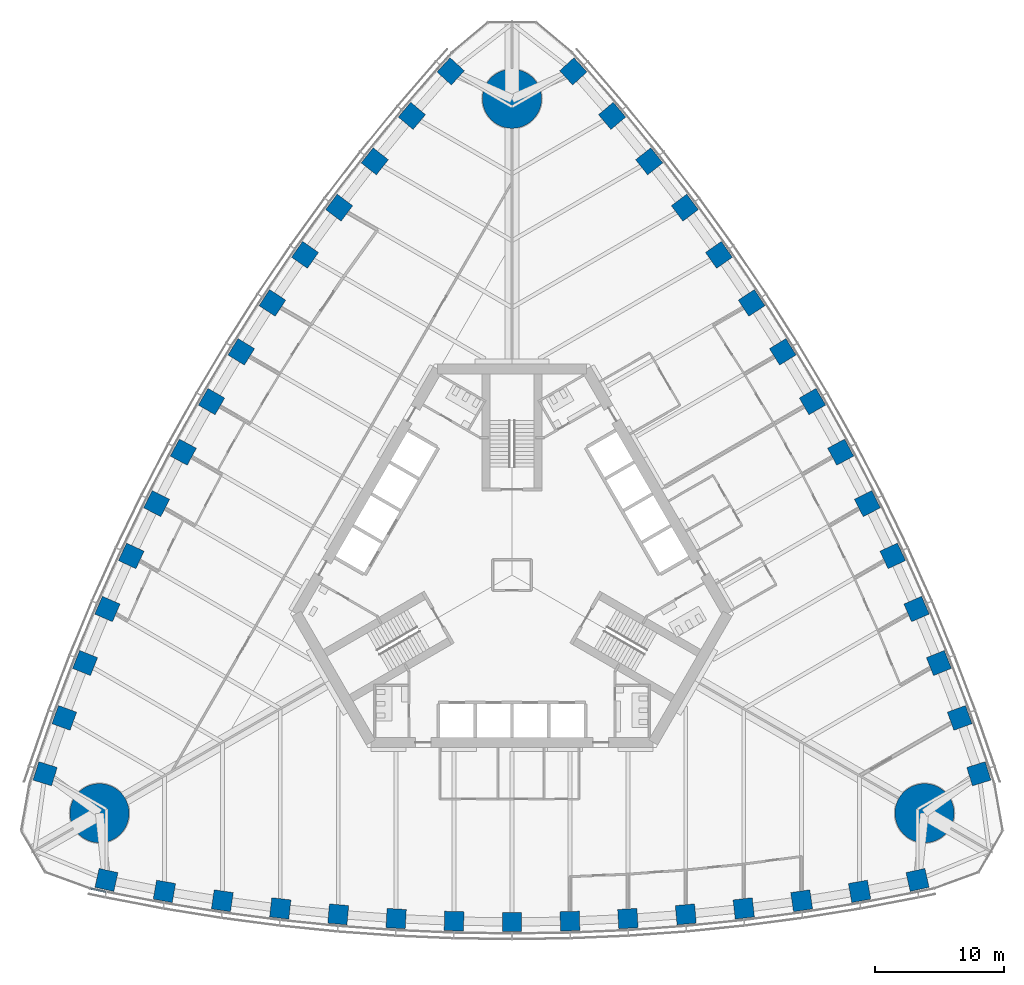
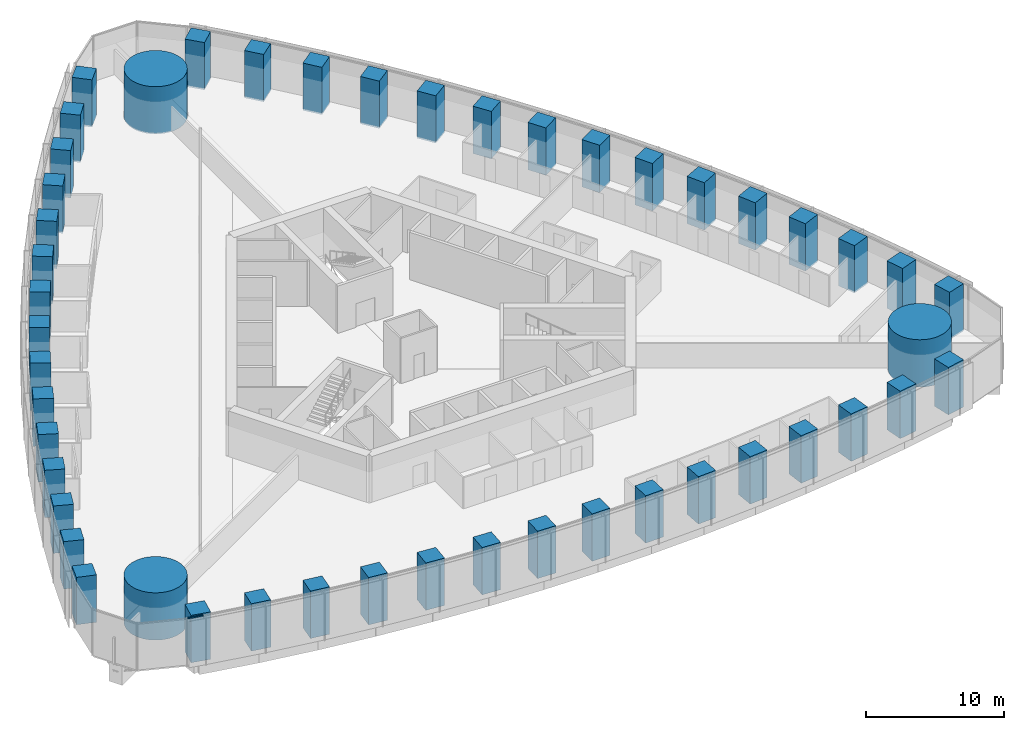
# One storey, part 1 of 18: 48 columns, 1 member, 1 element without a shape of its own.
"""IFC4 building model written with IfcOpenShell, lengths in metres."""

from ifc_helpers import new_model, si_unit, direction, frame, origin, origin_2d, place, context, subcontext, project, spatial, rectangle, circle, extrude, material, material_profile, profile_set, type_object, element, aggregate, save


model = new_model("IFC4")

# Units and contexts
model_context = context("Model", 3, precision=1e-05, world=origin(), true_north=direction((0.0, 1.0)))
body_context = subcontext(model_context, "Body", "Model", "MODEL_VIEW")
ifc_project = project(units=[si_unit("LENGTHUNIT", "METRE"), si_unit("AREAUNIT", "SQUARE_METRE"), si_unit("VOLUMEUNIT", "CUBIC_METRE"), si_unit("PLANEANGLEUNIT", "RADIAN"), si_unit("MASSUNIT", "GRAM", prefix="KILO")], contexts=[model_context])

# Site, building, storey
site_placement = place(None, origin())
site = spatial("IfcSite", under=ifc_project, at=site_placement, CompositionType="ELEMENT")
building_placement = place(site_placement, origin())
building = spatial("IfcBuilding", under=site, at=building_placement, Name="Trefoil Bronze Tower", CompositionType="ELEMENT")
storey_placement = place(building_placement, frame((0.0, 0.0, 50.10009765625)))
storey = spatial("IfcBuildingStorey", under=building, at=storey_placement, Name="L11", CompositionType="ELEMENT", Elevation=50.10009765625)

# Columns
ifc_material_1 = material(Name="Concrete B80", Category="concrete")
ifc_material_profile_1 = material_profile(ifc_material_1, circle(Radius=2.300048828125, at=origin_2d()), Name="RC D4600")
ifc_profile_set_1 = profile_set([ifc_material_profile_1], Name="Concrete B80")
column_type_1 = type_object("IfcColumnType", Name="Mega column RC D4600", PredefinedType="COLUMN", material=ifc_profile_set_1)
for number, where, z_axis, x_axis, name in (
    (1, (32.04296875, -18.5, 0.0), (0.0, 0.0, 1.0), (1.0, 0.0, 0.0), "Mega column K1 L11"),
    (2, (0.0, 37.0, 0.0), (0.0, 0.0, 1.0), (1.0, 0.0, 0.0), "Mega column K2 L11"),
    (3, (-32.04296875, -18.5, 0.0), (0.0, 0.0, 1.0), (1.0, 0.0, 0.0), "Mega column K3 L11"),
):
    element("IfcColumn", number, at=place(storey_placement, frame(where, z_axis=z_axis, x_axis=x_axis)), inside=storey, type_object=column_type_1, Name=name, PredefinedType="COLUMN", context=body_context, shape_type="SweptSolid", body=[
        extrude(circle(Radius=2.300048828125, at=origin_2d()), origin(), (0.0, 0.0, 1.0), 4.199951171875),
    ])
ifc_material_2 = material(Name="Concrete B80", Category="concrete")
ifc_material_profile_2 = material_profile(ifc_material_2, rectangle(XDim=1.5, YDim=1.5, at=origin_2d()), Name="RC 1500x1500")
ifc_profile_set_2 = profile_set([ifc_material_profile_2], Name="Concrete B80")
column_type_2 = type_object("IfcColumnType", Name="Tube column RC 1500x1500", PredefinedType="COLUMN", material=ifc_profile_set_2)
for number, where, z_axis, x_axis, name in (
    (4, (-31.5, -23.684814453125, 0.0), (0.0, 0.0, 1.0), (0.976229647342, -0.216738726697, 0.0), "Tube column F1/-7 L11"),
    (5, (-27.0, -24.56787109375, 0.0), (0.0, 0.0, 1.0), (0.984722470468, -0.174131146426, 0.0), "Tube column F1/-6 L11"),
    (6, (-22.5, -25.29931640625, 0.0), (0.0, 0.0, 1.0), (0.989415676546, -0.145108990094, 0.0), "Tube column F1/-5 L11"),
    (7, (-18.0, -25.895263671875, 0.0), (0.0, 0.0, 1.0), (0.993239048989, -0.116086999973, 0.0), "Tube column F1/-4 L11"),
    (8, (-13.5, -26.35693359375, 0.0), (0.0, 0.0, 1.0), (0.996202620701, -0.087065139456, 0.0), "Tube column F1/-3 L11"),
    (9, (-9.0, -26.68603515625, 0.0), (0.0, 0.0, 1.0), (0.998314062162, -0.058043374207, 0.0), "Tube column F1/-2 L11"),
    (10, (-4.5, -26.883056640625, 0.0), (0.0, 0.0, 1.0), (0.999578782577, -0.029021671584, 0.0), "Tube column F1/-1 L11"),
    (11, (0.0, -26.94873046875, 0.0), (0.0, 0.0, 1.0), (1.0, 0.0, 0.0), "Tube column F1/+0 L11"),
    (12, (4.5, -26.883056640625, 0.0), (0.0, 0.0, 1.0), (0.999578782577, 0.029021671584, 0.0), "Tube column F1/+1 L11"),
    (13, (9.0, -26.68603515625, 0.0), (0.0, 0.0, 1.0), (0.998314062162, 0.058043374207, 0.0), "Tube column F1/+2 L11"),
    (14, (13.5, -26.35693359375, 0.0), (0.0, 0.0, 1.0), (0.996202620701, 0.087065139456, 0.0), "Tube column F1/+3 L11"),
    (15, (18.0, -25.895263671875, 0.0), (0.0, 0.0, 1.0), (0.993239048989, 0.116086999973, 0.0), "Tube column F1/+4 L11"),
    (16, (22.5, -25.29931640625, 0.0), (0.0, 0.0, 1.0), (0.989415676546, 0.145108990094, 0.0), "Tube column F1/+5 L11"),
    (17, (27.0, -24.56787109375, 0.0), (0.0, 0.0, 1.0), (0.984722470468, 0.174131146426, 0.0), "Tube column F1/+6 L11"),
    (18, (31.5, -23.684814453125, 0.0), (0.0, 0.0, 1.0), (0.976229647342, 0.216738726697, 0.0), "Tube column F1/+7 L11"),
    (19, (36.26171875, -15.4375, 0.0), (0.0, 0.0, 1.0), (-0.300413580368, 0.953809037874, 0.0), "Tube column F2/-7 L11"),
    (20, (34.7763671875, -11.0986328125, 0.0), (0.0, 0.0, 1.0), (-0.341559238839, 0.939860248316, 0.0), "Tube column F2/-6 L11"),
    (21, (33.159912109375, -6.8359375, 0.0), (0.0, 0.0, 1.0), (-0.369039766534, 0.929413605838, 0.0), "Tube column F2/-5 L11"),
    (22, (31.42578125, -2.640869140625, 0.0), (0.0, 0.0, 1.0), (-0.396085233469, 0.918213748442, 0.0), "Tube column F2/-4 L11"),
    (23, (29.575927734375, 1.487060546875, 0.0), (0.0, 0.0, 1.0), (-0.422700687798, 0.906269346572, 0.0), "Tube column F2/-3 L11"),
    (24, (27.61083984375, 5.548828125, 0.0), (0.0, 0.0, 1.0), (-0.448889994497, 0.893587025891, 0.0), "Tube column F2/-2 L11"),
    (25, (25.531494140625, 9.54443359375, 0.0), (0.0, 0.0, 1.0), (-0.474655886437, 0.880171454588, 0.0), "Tube column F2/-1 L11"),
    (26, (23.33837890625, 13.474365234375, 0.0), (0.0, 0.0, 1.0), (-0.5, 0.866025403784, 0.0), "Tube column F2/+0 L11"),
    (27, (21.031494140625, 17.338623046875, 0.0), (0.0, 0.0, 1.0), (-0.524922896141, 0.851149783004, 0.0), "Tube column F2/+1 L11"),
    (28, (18.61083984375, 21.13720703125, 0.0), (0.0, 0.0, 1.0), (-0.549424067665, 0.835543651684, 0.0), "Tube column F2/+2 L11"),
    (29, (16.075927734375, 24.869873046875, 0.0), (0.0, 0.0, 1.0), (-0.573501932903, 0.819204207116, 0.0), "Tube column F2/+3 L11"),
    (30, (13.42578125, 28.5361328125, 0.0), (0.0, 0.0, 1.0), (-0.59715381552, 0.802126748469, 0.0), "Tube column F2/+4 L11"),
    (31, (10.659912109375, 32.13525390625, 0.0), (0.0, 0.0, 1.0), (-0.620375910011, 0.784304615744, 0.0), "Tube column F2/+5 L11"),
    (32, (7.7763671875, 35.666748046875, 0.0), (0.0, 0.0, 1.0), (-0.643163231629, 0.765729101889, 0.0), "Tube column F2/+6 L11"),
    (33, (4.76171875, 39.122314453125, 0.0), (0.0, 0.0, 1.0), (-0.675816066975, 0.737070311177, 0.0), "Tube column F2/+7 L11"),
    (34, (-4.76171875, 39.122314453125, 0.0), (0.0, 0.0, 1.0), (-0.675816066975, -0.737070311177, 0.0), "Tube column F3/-7 L11"),
    (35, (-7.7763671875, 35.666748046875, 0.0), (0.0, 0.0, 1.0), (-0.643163231629, -0.765729101889, 0.0), "Tube column F3/-6 L11"),
    (36, (-10.659912109375, 32.13525390625, 0.0), (0.0, 0.0, 1.0), (-0.620375910011, -0.784304615744, 0.0), "Tube column F3/-5 L11"),
    (37, (-13.42578125, 28.5361328125, 0.0), (0.0, 0.0, 1.0), (-0.59715381552, -0.802126748469, 0.0), "Tube column F3/-4 L11"),
    (38, (-16.075927734375, 24.869873046875, 0.0), (0.0, 0.0, 1.0), (-0.573501932903, -0.819204207116, 0.0), "Tube column F3/-3 L11"),
    (39, (-18.61083984375, 21.13720703125, 0.0), (0.0, 0.0, 1.0), (-0.549424067665, -0.835543651684, 0.0), "Tube column F3/-2 L11"),
    (40, (-21.031494140625, 17.338623046875, 0.0), (0.0, 0.0, 1.0), (-0.524922896141, -0.851149783004, 0.0), "Tube column F3/-1 L11"),
    (41, (-23.33837890625, 13.474365234375, 0.0), (0.0, 0.0, 1.0), (-0.5, -0.866025403784, 0.0), "Tube column F3/+0 L11"),
    (42, (-25.531494140625, 9.54443359375, 0.0), (0.0, 0.0, 1.0), (-0.474655886437, -0.880171454588, 0.0), "Tube column F3/+1 L11"),
    (43, (-27.61083984375, 5.548828125, 0.0), (0.0, 0.0, 1.0), (-0.448889994497, -0.893587025891, 0.0), "Tube column F3/+2 L11"),
    (44, (-29.575927734375, 1.487060546875, 0.0), (0.0, 0.0, 1.0), (-0.422700687798, -0.906269346572, 0.0), "Tube column F3/+3 L11"),
    (45, (-31.42578125, -2.640869140625, 0.0), (0.0, 0.0, 1.0), (-0.396085233469, -0.918213748442, 0.0), "Tube column F3/+4 L11"),
    (46, (-33.159912109375, -6.8359375, 0.0), (0.0, 0.0, 1.0), (-0.369039766534, -0.929413605838, 0.0), "Tube column F3/+5 L11"),
    (47, (-34.7763671875, -11.0986328125, 0.0), (0.0, 0.0, 1.0), (-0.341559238839, -0.939860248316, 0.0), "Tube column F3/+6 L11"),
    (48, (-36.26171875, -15.4375, 0.0), (0.0, 0.0, 1.0), (-0.300413580368, -0.953809037874, 0.0), "Tube column F3/+7 L11"),
):
    element("IfcColumn", number, at=place(storey_placement, frame(where, z_axis=z_axis, x_axis=x_axis)), inside=storey, type_object=column_type_2, Name=name, PredefinedType="COLUMN", context=body_context, shape_type="SweptSolid", body=[
        extrude(rectangle(XDim=1.5, YDim=1.5, at=origin_2d()), origin(), (0.0, 0.0, 1.0), 4.199951171875),
    ])

# Curtain wall, member
ifc_material_3 = material(Name="Tinted solar-control glass", Category="glass")
curtain_wall_type = type_object("IfcCurtainWallType", Name="Bronze office curtain wall", PredefinedType="USERDEFINED", material=ifc_material_3)
curtain_wall_placement = place(storey_placement, origin())
curtain_wall = element("IfcCurtainWall", 49, at=curtain_wall_placement, inside=storey, type_object=curtain_wall_type, Name="CW-A L11 F1", ObjectType="CURTAIN WALL", PredefinedType="USERDEFINED")
ifc_material_4 = material(Name="Bronze-finish aluminium", Category="aluminium")
ifc_material_profile_3 = material_profile(ifc_material_4, rectangle(XDim=0.1201171875, YDim=0.10009765625, at=origin_2d()), Name="CW-A transom")
ifc_profile_set_3 = profile_set([ifc_material_profile_3], Name="Bronze-finish aluminium")
member_type = type_object("IfcMemberType", Name="Bronze office curtain wall transom", PredefinedType="USERDEFINED", material=ifc_profile_set_3)
member_placement = place(storey_placement, frame((-32.743896484375, -24.354736328125, 4.1298828125), z_axis=(0.978266371807, -0.207352129942, 0.0), x_axis=(0.207352129942, 0.978266371807, 0.0)))
member = element("IfcMember", 50, at=member_placement, type_object=member_type, Name="CW-A L11 F1 transom 1", ObjectType="TRANSOM", PredefinedType="USERDEFINED", context=body_context, shape_type="SweptSolid", body=[
    extrude(rectangle(XDim=0.1201171875, YDim=0.10009765625, at=origin_2d()), origin(), (0.0, 0.0, 1.0), 1.21044921875),
])
aggregate(curtain_wall, [member])

save(model, "model.ifc")
